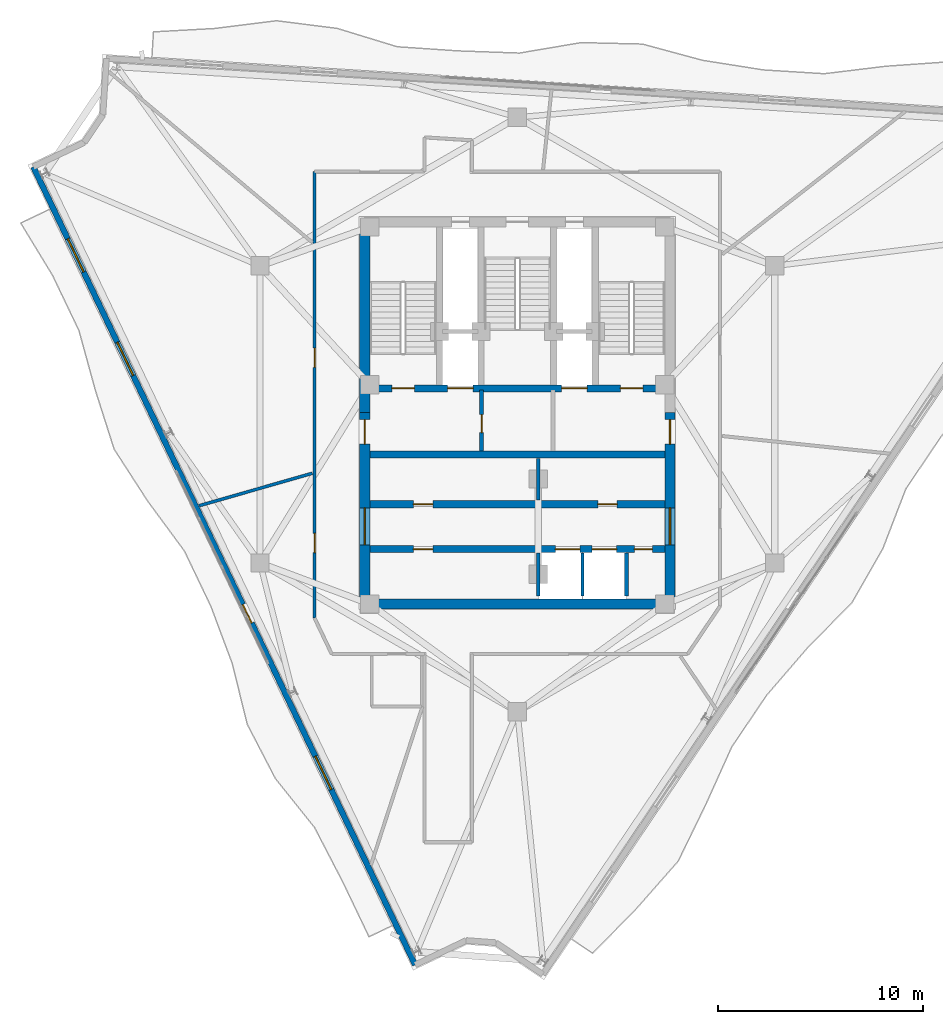
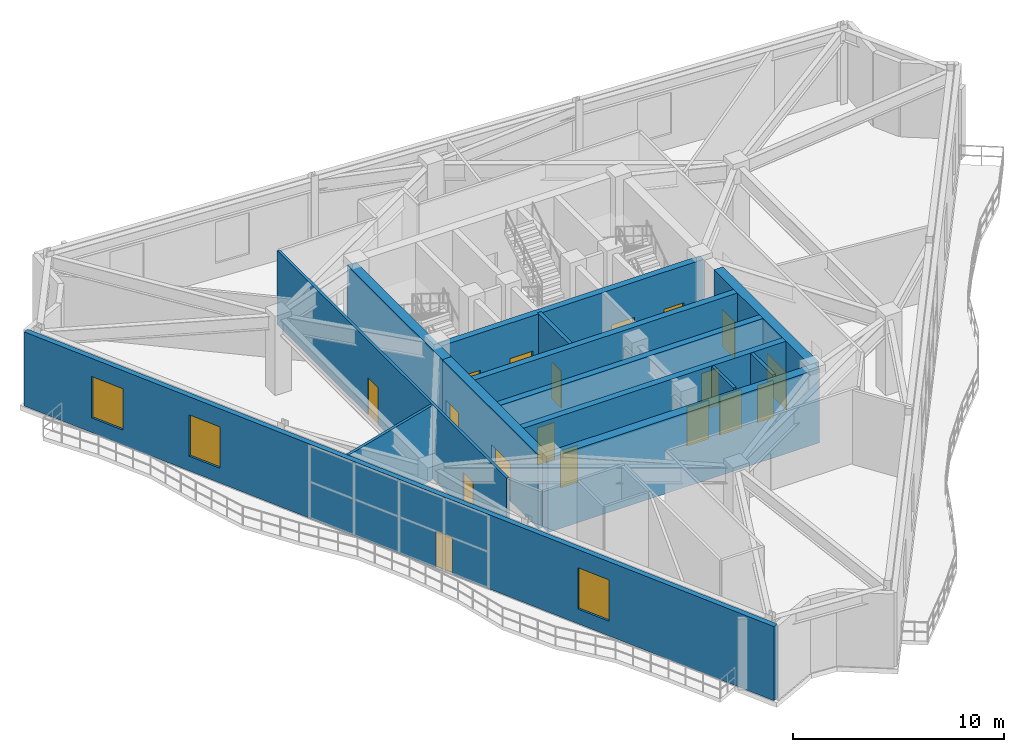
# One storey, part 10 of 15: 18 doors, 16 walls, 3 windows, 21 openings.
"""IFC4 building model written with IfcOpenShell, lengths in metres."""

from ifc_helpers import new_model, si_unit, direction, frame, frame_2d, origin, place, context, subcontext, project, spatial, rectangle, extrude, material, layer, layer_set, type_object, element, fill, save


model = new_model("IFC4")

# Units and contexts
model_context = context("Model", 3, precision=1e-05, world=origin(), true_north=direction((0.0, 1.0)))
body_context = subcontext(model_context, "Body", "Model", "MODEL_VIEW")
ifc_project = project(units=[si_unit("LENGTHUNIT", "METRE"), si_unit("AREAUNIT", "SQUARE_METRE"), si_unit("VOLUMEUNIT", "CUBIC_METRE"), si_unit("PLANEANGLEUNIT", "RADIAN"), si_unit("MASSUNIT", "GRAM", prefix="KILO")], contexts=[model_context])

# Site, building, storey
site_placement = place(None, origin())
site = spatial("IfcSite", under=ifc_project, at=site_placement, CompositionType="ELEMENT")
building_placement = place(site_placement, origin())
building = spatial("IfcBuilding", under=site, at=building_placement, Name="Apsidion Concourse Tower", CompositionType="ELEMENT")
storey_placement = place(building_placement, frame((0.0, 0.0, 323.39990234375)))
storey = spatial("IfcBuildingStorey", under=building, at=storey_placement, Name="L76", CompositionType="ELEMENT", Elevation=323.39990234375)

# Wall, openings, door, windows
ifc_material_1 = material(Name="Precast concrete C40/50", Category="concrete")
ifc_layer_1 = layer(ifc_material_1, 0.280029296875)
ifc_layer_set_1 = layer_set([ifc_layer_1], Name="Precast concrete C40/50")
wall_type_1 = type_object("IfcWallType", Name="WL-EXT-280", PredefinedType="STANDARD", material=ifc_layer_set_1)
wall_1_placement = place(storey_placement, frame((-4.98828125, -26.864501953125, 0.0), z_axis=(0.0, 0.0, 1.0), x_axis=(-0.431592936847, 0.902068476815, 0.0)))
wall_1 = element("IfcWall", 1, at=wall_1_placement, inside=storey, type_object=wall_type_1, Name="L76 Precast Stone Facade Wall 09", PredefinedType="STANDARD", context=body_context, shape_type="SweptSolid", body=[
    extrude(rectangle(XDim=43.18017578125, YDim=0.280029296875, at=frame_2d((21.590087890625, 0.0))), origin(), (0.0, 0.0, 1.0), 4.300048828125),
])
opening_1_placement = place(wall_1_placement, frame((18.499267578125, 0.0, 0.0)))
opening_1 = element("IfcOpeningElement", 2, at=opening_1_placement, cuts=wall_1, Name="Opening D-T1L", PredefinedType="OPENING", context=body_context, shape_type="SweptSolid", body=[
    extrude(rectangle(XDim=1.0, YDim=2.14990234375, at=frame_2d((0.5, 1.074951171875))), frame((0.0, 0.14990234375, 0.0), z_axis=(0.0, -1.0, 0.0), x_axis=(1.0, 0.0, 0.0)), (0.0, 0.0, 1.0), 0.300048828125),
])
opening_2_placement = place(wall_1_placement, frame((9.489990234375, 0.0, 0.85009765625)))
opening_2 = element("IfcOpeningElement", 3, at=opening_2_placement, cuts=wall_1, Name="Opening WN-09", PredefinedType="OPENING", context=body_context, shape_type="SweptSolid", body=[
    extrude(rectangle(XDim=1.800048828125, YDim=2.39990234375, at=frame_2d((0.89990234375, 1.199951171875))), frame((0.0, 0.14990234375, 0.0), z_axis=(0.0, -1.0, 0.0), x_axis=(1.0, 0.0, 0.0)), (0.0, 0.0, 1.0), 0.300048828125),
])
opening_3_placement = place(wall_1_placement, frame((31.889892578125, 0.0, 0.85009765625)))
opening_3 = element("IfcOpeningElement", 4, at=opening_3_placement, cuts=wall_1, Name="Opening WN-09", PredefinedType="OPENING", context=body_context, shape_type="SweptSolid", body=[
    extrude(rectangle(XDim=1.800048828125, YDim=2.39990234375, at=frame_2d((0.89990234375, 1.199951171875))), frame((0.0, 0.14990234375, 0.0), z_axis=(0.0, -1.0, 0.0), x_axis=(1.0, 0.0, 0.0)), (0.0, 0.0, 1.0), 0.300048828125),
])
opening_4_placement = place(wall_1_placement, frame((37.489990234375, 0.0, 0.85009765625)))
opening_4 = element("IfcOpeningElement", 5, at=opening_4_placement, cuts=wall_1, Name="Opening WN-09", PredefinedType="OPENING", context=body_context, shape_type="SweptSolid", body=[
    extrude(rectangle(XDim=1.800048828125, YDim=2.39990234375, at=frame_2d((0.89990234375, 1.199951171875))), frame((0.0, 0.14990234375, 0.0), z_axis=(0.0, -1.0, 0.0), x_axis=(1.0, 0.0, 0.0)), (0.0, 0.0, 1.0), 0.300048828125),
])
ifc_material_2 = material(Name="Anodised aluminium EN AW-6063 T6", Category="aluminium")
door_type_1 = type_object("IfcDoorType", Name="DR-TER-1022L", OperationType="SINGLE_SWING_LEFT", PredefinedType="DOOR", material=ifc_material_2)
door_1_placement = place(opening_1_placement, origin())
door_1 = element("IfcDoor", 6, at=door_1_placement, inside=storey, type_object=door_type_1, Name="L76 Balcony Access Door 1", OperationType="SINGLE_SWING_LEFT", OverallHeight=2.14990234375, OverallWidth=1.0, PredefinedType="DOOR", context=body_context, shape_type="SweptSolid", body=[
    extrude(rectangle(XDim=1.0, YDim=2.14990234375, at=frame_2d((0.5, 1.074951171875))), frame((0.0, 0.02490234375, 0.0), z_axis=(0.0, -1.0, 0.0), x_axis=(1.0, 0.0, 0.0)), (0.0, 0.0, 1.0), 0.050048828125),
])
fill(opening_1, door_1)
ifc_material_3 = material(Name="Insulated laminated low-E glass", Category="glass")
window_type = type_object("IfcWindowType", Name="WN-OBS-1826", PartitioningType="DOUBLE_PANEL_VERTICAL", PredefinedType="WINDOW", material=ifc_material_3)
window_1_placement = place(opening_2_placement, origin())
window_1 = element("IfcWindow", 7, at=window_1_placement, inside=storey, type_object=window_type, Name="L76 Punched Facade Window 9-02", OverallHeight=2.39990234375, OverallWidth=1.800048828125, PartitioningType="DOUBLE_PANEL_VERTICAL", PredefinedType="WINDOW", context=body_context, shape_type="SweptSolid", body=[
    extrude(rectangle(XDim=1.800048828125, YDim=2.39990234375, at=frame_2d((0.89990234375, 1.199951171875))), frame((0.0, 0.030029296875, 0.0), z_axis=(0.0, -1.0, 0.0), x_axis=(1.0, 0.0, 0.0)), (0.0, 0.0, 1.0), 0.06005859375),
])
fill(opening_2, window_1)
window_2_placement = place(opening_3_placement, origin())
window_2 = element("IfcWindow", 8, at=window_2_placement, inside=storey, type_object=window_type, Name="L76 Punched Facade Window 9-06", OverallHeight=2.39990234375, OverallWidth=1.800048828125, PartitioningType="DOUBLE_PANEL_VERTICAL", PredefinedType="WINDOW", context=body_context, shape_type="SweptSolid", body=[
    extrude(rectangle(XDim=1.800048828125, YDim=2.39990234375, at=frame_2d((0.89990234375, 1.199951171875))), frame((0.0, 0.030029296875, 0.0), z_axis=(0.0, -1.0, 0.0), x_axis=(1.0, 0.0, 0.0)), (0.0, 0.0, 1.0), 0.06005859375),
])
fill(opening_3, window_2)
window_3_placement = place(opening_4_placement, origin())
window_3 = element("IfcWindow", 9, at=window_3_placement, inside=storey, type_object=window_type, Name="L76 Punched Facade Window 9-07", OverallHeight=2.39990234375, OverallWidth=1.800048828125, PartitioningType="DOUBLE_PANEL_VERTICAL", PredefinedType="WINDOW", context=body_context, shape_type="SweptSolid", body=[
    extrude(rectangle(XDim=1.800048828125, YDim=2.39990234375, at=frame_2d((0.89990234375, 1.199951171875))), frame((0.0, 0.030029296875, 0.0), z_axis=(0.0, -1.0, 0.0), x_axis=(1.0, 0.0, 0.0)), (0.0, 0.0, 1.0), 0.06005859375),
])
fill(opening_4, window_3)

# Wall
ifc_material_4 = material(Name="Gypsum plasterboard partition")
ifc_layer_2 = layer(ifc_material_4, 0.14990234375)
ifc_layer_set_2 = layer_set([ifc_layer_2], Name="Gypsum plasterboard partition")
wall_type_2 = type_object("IfcWallType", Name="WL-INT-PAR-150", PredefinedType="PARTITIONING", material=ifc_layer_set_2)
wall_2_placement = place(storey_placement, frame((3.175048828125, -8.85009765625, 0.0), z_axis=(0.0, 0.0, 1.0), x_axis=(0.0, 1.0, 0.0)))
element("IfcWall", 10, at=wall_2_placement, inside=storey, type_object=wall_type_2, Name="L76 Interior Partition WL-L76-SHDIV-1", PredefinedType="PARTITIONING", context=body_context, shape_type="SweptSolid", body=[
    extrude(rectangle(XDim=2.080078125, YDim=0.14990234375, at=frame_2d((1.0400390625, 0.0))), origin(), (0.0, 0.0, 1.0), 4.300048828125),
])

# Wall, openings, doors
wall_3_placement = place(storey_placement, frame((-9.89990234375, -9.93701171875, 0.0), z_axis=(0.0, 0.0, 1.0), x_axis=(0.0, 1.0, 0.0)))
wall_3 = element("IfcWall", 11, at=wall_3_placement, inside=storey, type_object=wall_type_2, Name="L76 Interior Partition WL-L76-CORR-03", PredefinedType="PARTITIONING", context=body_context, shape_type="SweptSolid", body=[
    extrude(rectangle(XDim=21.787109375, YDim=0.14990234375, at=frame_2d((10.8935546875, 0.0))), origin(), (0.0, 0.0, 1.0), 4.300048828125),
])
opening_5_placement = place(wall_3_placement, frame((3.189697265625, 0.0, 0.0)))
opening_5 = element("IfcOpeningElement", 12, at=opening_5_placement, cuts=wall_3, Name="Opening D-01L", PredefinedType="OPENING", context=body_context, shape_type="SweptSolid", body=[
    extrude(rectangle(XDim=0.949951171875, YDim=2.14990234375, at=frame_2d((0.47509765625, 1.074951171875))), frame((0.0, 0.0849609375, 0.0), z_axis=(0.0, -1.0, 0.0), x_axis=(1.0, 0.0, 0.0)), (0.0, 0.0, 1.0), 0.169921875),
])
opening_6_placement = place(wall_3_placement, frame((12.231201171875, 0.0, 0.0)))
opening_6 = element("IfcOpeningElement", 13, at=opening_6_placement, cuts=wall_3, Name="Opening D-01L", PredefinedType="OPENING", context=body_context, shape_type="SweptSolid", body=[
    extrude(rectangle(XDim=0.949951171875, YDim=2.14990234375, at=frame_2d((0.47509765625, 1.074951171875))), frame((0.0, 0.0849609375, 0.0), z_axis=(0.0, -1.0, 0.0), x_axis=(1.0, 0.0, 0.0)), (0.0, 0.0, 1.0), 0.169921875),
])
ifc_material_5 = material(Name="Brushed stainless steel 316", Category="steel")
door_type_2 = type_object("IfcDoorType", Name="DR-INT-D01L", OperationType="SINGLE_SWING_LEFT", PredefinedType="DOOR", material=ifc_material_5)
door_2_placement = place(opening_5_placement, origin())
door_2 = element("IfcDoor", 14, at=door_2_placement, inside=storey, type_object=door_type_2, Name="L76 Corridor Entry Door 01", OperationType="SINGLE_SWING_LEFT", OverallHeight=2.14990234375, OverallWidth=0.949951171875, PredefinedType="DOOR", context=body_context, shape_type="SweptSolid", body=[
    extrude(rectangle(XDim=0.949951171875, YDim=2.14990234375, at=frame_2d((0.47509765625, 1.074951171875))), frame((0.0, 0.02490234375, 0.0), z_axis=(0.0, -1.0, 0.0), x_axis=(1.0, 0.0, 0.0)), (0.0, 0.0, 1.0), 0.050048828125),
])
fill(opening_5, door_2)
door_3_placement = place(opening_6_placement, origin())
door_3 = element("IfcDoor", 15, at=door_3_placement, inside=storey, type_object=door_type_2, Name="L76 Corridor Entry Door 07", OperationType="SINGLE_SWING_LEFT", OverallHeight=2.14990234375, OverallWidth=0.949951171875, PredefinedType="DOOR", context=body_context, shape_type="SweptSolid", body=[
    extrude(rectangle(XDim=0.949951171875, YDim=2.14990234375, at=frame_2d((0.47509765625, 1.074951171875))), frame((0.0, 0.02490234375, 0.0), z_axis=(0.0, -1.0, 0.0), x_axis=(1.0, 0.0, 0.0)), (0.0, 0.0, 1.0), 0.050048828125),
])
fill(opening_6, door_3)

# Walls
wall_4_placement = place(storey_placement, frame((-10.0048828125, -2.868896484375, 0.0), z_axis=(0.0, 0.0, 1.0), x_axis=(-0.961270656864, -0.275606103437, 0.0)))
element("IfcWall", 16, at=wall_4_placement, inside=storey, type_object=wall_type_2, Name="L76 Interior Partition WL-L76-RAD-03-1", PredefinedType="PARTITIONING", context=body_context, shape_type="SweptSolid", body=[
    extrude(rectangle(XDim=5.756103515625, YDim=0.14990234375, at=frame_2d((2.8779296875, 0.0))), origin(), (0.0, 0.0, 1.0), 4.300048828125),
])
ifc_layer_3 = layer(ifc_material_4, 0.179931640625)
ifc_layer_set_3 = layer_set([ifc_layer_3], Name="Gypsum plasterboard partition")
wall_type_3 = type_object("IfcWallType", Name="WL-INT-PAR-180", PredefinedType="PARTITIONING", material=ifc_layer_set_3)
wall_5_placement = place(storey_placement, frame((1.02490234375, -4.179931640625, 0.0), z_axis=(0.0, 0.0, 1.0), x_axis=(0.0, 1.0, 0.0)))
element("IfcWall", 17, at=wall_5_placement, inside=storey, type_object=wall_type_3, Name="L76 Interior Partition WL-L76-B1END", PredefinedType="PARTITIONING", context=body_context, shape_type="SweptSolid", body=[
    extrude(rectangle(XDim=2.030029296875, YDim=0.179931640625, at=frame_2d((1.01513671875, 0.0))), origin(), (0.0, 0.0, 1.0), 3.34814453125),
])
wall_6_placement = place(storey_placement, frame((1.02490234375, -8.85009765625, 0.0), z_axis=(0.0, 0.0, 1.0), x_axis=(0.0, 1.0, 0.0)))
element("IfcWall", 18, at=wall_6_placement, inside=storey, type_object=wall_type_3, Name="L76 Interior Partition WL-L76-B2END", PredefinedType="PARTITIONING", context=body_context, shape_type="SweptSolid", body=[
    extrude(rectangle(XDim=2.080078125, YDim=0.179931640625, at=frame_2d((1.0400390625, 0.0))), origin(), (0.0, 0.0, 1.0), 3.34814453125),
])
wall_7_placement = place(storey_placement, frame((5.324951171875, -8.85009765625, 0.0), z_axis=(0.0, 0.0, 1.0), x_axis=(0.0, 1.0, 0.0)))
element("IfcWall", 19, at=wall_7_placement, inside=storey, type_object=wall_type_3, Name="L76 Interior Partition WL-L76-SHDIV-2", PredefinedType="PARTITIONING", context=body_context, shape_type="SweptSolid", body=[
    extrude(rectangle(XDim=2.080078125, YDim=0.179931640625, at=frame_2d((1.0400390625, 0.0))), origin(), (0.0, 0.0, 1.0), 4.300048828125),
])

# Wall, opening, door
ifc_layer_4 = layer(ifc_material_4, 0.199951171875)
ifc_layer_set_4 = layer_set([ifc_layer_4], Name="Gypsum plasterboard partition")
wall_type_4 = type_object("IfcWallType", Name="WL-INT-PAR-200", PredefinedType="PARTITIONING", material=ifc_layer_set_4)
wall_8_placement = place(storey_placement, frame((-1.739990234375, -1.780029296875, 0.0), z_axis=(0.0, 0.0, 1.0), x_axis=(0.0, 1.0, 0.0)))
wall_8 = element("IfcWall", 20, at=wall_8_placement, inside=storey, type_object=wall_type_4, Name="L76 Interior Partition WL-L76-FF1-E", PredefinedType="PARTITIONING", context=body_context, shape_type="SweptSolid", body=[
    extrude(rectangle(XDim=2.97998046875, YDim=0.199951171875, at=frame_2d((1.489990234375, 0.0))), origin(), (0.0, 0.0, 1.0), 4.300048828125),
])
opening_7_placement = place(wall_8_placement, frame((0.889892578125, 0.0, 0.0)))
opening_7 = element("IfcOpeningElement", 21, at=opening_7_placement, cuts=wall_8, Name="Opening D-05R", PredefinedType="OPENING", context=body_context, shape_type="SweptSolid", body=[
    extrude(rectangle(XDim=0.8798828125, YDim=2.14990234375, at=frame_2d((0.43994140625, 1.074951171875))), frame((0.0, 0.10986328125, 0.0), z_axis=(0.0, -1.0, 0.0), x_axis=(1.0, 0.0, 0.0)), (0.0, 0.0, 1.0), 0.219970703125),
])
door_type_3 = type_object("IfcDoorType", Name="DR-INT-D05R", OperationType="SINGLE_SWING_RIGHT", PredefinedType="DOOR", material=ifc_material_5)
door_4_placement = place(opening_7_placement, origin())
door_4 = element("IfcDoor", 22, at=door_4_placement, inside=storey, type_object=door_type_3, Name="L76 Core BMS Door", OperationType="SINGLE_SWING_RIGHT", OverallHeight=2.14990234375, OverallWidth=0.8798828125, PredefinedType="DOOR", context=body_context, shape_type="SweptSolid", body=[
    extrude(rectangle(XDim=0.8798828125, YDim=2.14990234375, at=frame_2d((0.43994140625, 1.074951171875))), frame((0.0, 0.02490234375, 0.0), z_axis=(0.0, -1.0, 0.0), x_axis=(1.0, 0.0, 0.0)), (0.0, 0.0, 1.0), 0.050048828125),
])
fill(opening_7, door_4)

# Wall, openings, doors
ifc_material_6 = material(Name="Concrete C50/60", Category="concrete")
ifc_layer_5 = layer(ifc_material_6, 0.35009765625)
ifc_layer_set_5 = layer_set([ifc_layer_5], Name="Concrete C50/60")
wall_type_5 = type_object("IfcWallType", Name="WL-SH-350", PredefinedType="SHEAR", material=ifc_layer_set_5)
wall_9_placement = place(storey_placement, frame((-7.199951171875, 1.27490234375, 0.0), z_axis=(0.0, 0.0, 1.0), x_axis=(1.0, 0.0, 0.0)))
wall_9 = element("IfcWall", 23, at=wall_9_placement, inside=storey, type_object=wall_type_5, Name="L76 Central Core Shear Wall M1", PredefinedType="SHEAR", context=body_context, shape_type="SweptSolid", body=[
    extrude(rectangle(XDim=14.39990234375, YDim=0.35009765625, at=frame_2d((7.199951171875, 0.0))), origin(), (0.0, 0.0, 1.0), 4.300048828125),
])
opening_8_placement = place(wall_9_placement, frame((3.794921875, 0.0, 0.0)))
opening_8 = element("IfcOpeningElement", 24, at=opening_8_placement, cuts=wall_9, Name="Opening LD-FF", PredefinedType="OPENING", context=body_context, shape_type="SweptSolid", body=[
    extrude(rectangle(XDim=1.25, YDim=2.25, at=frame_2d((0.625, 1.125))), frame((0.0, 0.18505859375, 0.0), z_axis=(0.0, -1.0, 0.0), x_axis=(1.0, 0.0, 0.0)), (0.0, 0.0, 1.0), 0.3701171875),
])
opening_9_placement = place(wall_9_placement, frame((9.35498046875, 0.0, 0.0)))
opening_9 = element("IfcOpeningElement", 25, at=opening_9_placement, cuts=wall_9, Name="Opening LD-FF", PredefinedType="OPENING", context=body_context, shape_type="SweptSolid", body=[
    extrude(rectangle(XDim=1.25, YDim=2.25, at=frame_2d((0.625, 1.125))), frame((0.0, 0.18505859375, 0.0), z_axis=(0.0, -1.0, 0.0), x_axis=(1.0, 0.0, 0.0)), (0.0, 0.0, 1.0), 0.3701171875),
])
opening_10_placement = place(wall_9_placement, frame((1.074951171875, 0.0, 0.0)))
opening_10 = element("IfcOpeningElement", 26, at=opening_10_placement, cuts=wall_9, Name="Opening D-STL", PredefinedType="OPENING", context=body_context, shape_type="SweptSolid", body=[
    extrude(rectangle(XDim=1.10009765625, YDim=2.14990234375, at=frame_2d((0.550048828125, 1.074951171875))), frame((0.0, 0.18505859375, 0.0), z_axis=(0.0, -1.0, 0.0), x_axis=(1.0, 0.0, 0.0)), (0.0, 0.0, 1.0), 0.3701171875),
])
opening_11_placement = place(wall_9_placement, frame((12.22509765625, 0.0, 0.0)))
opening_11 = element("IfcOpeningElement", 27, at=opening_11_placement, cuts=wall_9, Name="Opening D-STR", PredefinedType="OPENING", context=body_context, shape_type="SweptSolid", body=[
    extrude(rectangle(XDim=1.10009765625, YDim=2.14990234375, at=frame_2d((0.550048828125, 1.074951171875))), frame((0.0, 0.18505859375, 0.0), z_axis=(0.0, -1.0, 0.0), x_axis=(1.0, 0.0, 0.0)), (0.0, 0.0, 1.0), 0.3701171875),
])
door_type_4 = type_object("IfcDoorType", Name="DR-INT-ST1L", OperationType="SINGLE_SWING_LEFT", PredefinedType="DOOR", material=ifc_material_5)
door_5_placement = place(opening_10_placement, origin())
door_5 = element("IfcDoor", 28, at=door_5_placement, inside=storey, type_object=door_type_4, Name="L76 Core Exit Stair ST1 Door", OperationType="SINGLE_SWING_LEFT", OverallHeight=2.14990234375, OverallWidth=1.10009765625, PredefinedType="DOOR", context=body_context, shape_type="SweptSolid", body=[
    extrude(rectangle(XDim=1.10009765625, YDim=2.14990234375, at=frame_2d((0.550048828125, 1.074951171875))), frame((0.0, 0.02490234375, 0.0), z_axis=(0.0, -1.0, 0.0), x_axis=(1.0, 0.0, 0.0)), (0.0, 0.0, 1.0), 0.050048828125),
])
fill(opening_10, door_5)
door_type_5 = type_object("IfcDoorType", Name="DR-INT-ST1R", OperationType="SINGLE_SWING_RIGHT", PredefinedType="DOOR", material=ifc_material_5)
door_6_placement = place(opening_11_placement, origin())
door_6 = element("IfcDoor", 29, at=door_6_placement, inside=storey, type_object=door_type_5, Name="L76 Core Exit Stair ST2 Door", OperationType="SINGLE_SWING_RIGHT", OverallHeight=2.14990234375, OverallWidth=1.10009765625, PredefinedType="DOOR", context=body_context, shape_type="SweptSolid", body=[
    extrude(rectangle(XDim=1.10009765625, YDim=2.14990234375, at=frame_2d((0.550048828125, 1.074951171875))), frame((0.0, 0.02490234375, 0.0), z_axis=(0.0, -1.0, 0.0), x_axis=(1.0, 0.0, 0.0)), (0.0, 0.0, 1.0), 0.050048828125),
])
fill(opening_11, door_6)
door_type_6 = type_object("IfcDoorType", Name="DR-LD-FSAE", OperationType="DOUBLE_DOOR_SLIDING", PredefinedType="DOOR", material=ifc_material_5)
door_7_placement = place(opening_8_placement, origin())
door_7 = element("IfcDoor", 30, at=door_7_placement, inside=storey, type_object=door_type_6, Name="L76 Lift Landing Door FF1", OperationType="DOUBLE_DOOR_SLIDING", OverallHeight=2.25, OverallWidth=1.25, PredefinedType="DOOR", context=body_context, shape_type="SweptSolid", body=[
    extrude(rectangle(XDim=1.25, YDim=2.25, at=frame_2d((0.625, 1.125))), frame((0.0, 0.02490234375, 0.0), z_axis=(0.0, -1.0, 0.0), x_axis=(1.0, 0.0, 0.0)), (0.0, 0.0, 1.0), 0.050048828125),
])
fill(opening_8, door_7)
door_8_placement = place(opening_9_placement, origin())
door_8 = element("IfcDoor", 31, at=door_8_placement, inside=storey, type_object=door_type_6, Name="L76 Lift Landing Door FF2", OperationType="DOUBLE_DOOR_SLIDING", OverallHeight=2.25, OverallWidth=1.25, PredefinedType="DOOR", context=body_context, shape_type="SweptSolid", body=[
    extrude(rectangle(XDim=1.25, YDim=2.25, at=frame_2d((0.625, 1.125))), frame((0.0, 0.02490234375, 0.0), z_axis=(0.0, -1.0, 0.0), x_axis=(1.0, 0.0, 0.0)), (0.0, 0.0, 1.0), 0.050048828125),
])
fill(opening_9, door_8)

# Wall
wall_10_placement = place(storey_placement, frame((-7.199951171875, -1.949951171875, 0.0), z_axis=(0.0, 0.0, 1.0), x_axis=(1.0, 0.0, 0.0)))
element("IfcWall", 32, at=wall_10_placement, inside=storey, type_object=wall_type_5, Name="L76 Central Core Shear Wall M2", PredefinedType="SHEAR", context=body_context, shape_type="SweptSolid", body=[
    extrude(rectangle(XDim=14.39990234375, YDim=0.35009765625, at=frame_2d((7.199951171875, 0.0))), origin(), (0.0, 0.0, 1.0), 4.300048828125),
])

# Wall, openings, doors
wall_11_placement = place(storey_placement, frame((-7.199951171875, -4.3798828125, 0.0), z_axis=(0.0, 0.0, 1.0), x_axis=(1.0, 0.0, 0.0)))
wall_11 = element("IfcWall", 33, at=wall_11_placement, inside=storey, type_object=wall_type_5, Name="L76 Central Core Shear Wall LA", PredefinedType="SHEAR", context=body_context, shape_type="SweptSolid", body=[
    extrude(rectangle(XDim=14.39990234375, YDim=0.35009765625, at=frame_2d((7.199951171875, 0.0))), origin(), (0.0, 0.0, 1.0), 4.300048828125),
])
opening_12_placement = place(wall_11_placement, frame((2.125, 0.0, 0.0)))
opening_12 = element("IfcOpeningElement", 34, at=opening_12_placement, cuts=wall_11, Name="Opening D-04L", PredefinedType="OPENING", context=body_context, shape_type="SweptSolid", body=[
    extrude(rectangle(XDim=0.949951171875, YDim=2.14990234375, at=frame_2d((0.47509765625, 1.074951171875))), frame((0.0, 0.18505859375, 0.0), z_axis=(0.0, -1.0, 0.0), x_axis=(1.0, 0.0, 0.0)), (0.0, 0.0, 1.0), 0.3701171875),
])
opening_13_placement = place(wall_11_placement, frame((11.125, 0.0, 0.0)))
opening_13 = element("IfcOpeningElement", 35, at=opening_13_placement, cuts=wall_11, Name="Opening D-04R", PredefinedType="OPENING", context=body_context, shape_type="SweptSolid", body=[
    extrude(rectangle(XDim=0.949951171875, YDim=2.14990234375, at=frame_2d((0.47509765625, 1.074951171875))), frame((0.0, 0.18505859375, 0.0), z_axis=(0.0, -1.0, 0.0), x_axis=(1.0, 0.0, 0.0)), (0.0, 0.0, 1.0), 0.3701171875),
])
door_type_7 = type_object("IfcDoorType", Name="DR-INT-D04L", OperationType="SINGLE_SWING_LEFT", PredefinedType="DOOR", material=ifc_material_5)
door_9_placement = place(opening_12_placement, origin())
door_9 = element("IfcDoor", 36, at=door_9_placement, inside=storey, type_object=door_type_7, Name="L76 Tenant Archive and Print Room Door", OperationType="SINGLE_SWING_LEFT", OverallHeight=2.14990234375, OverallWidth=0.949951171875, PredefinedType="DOOR", context=body_context, shape_type="SweptSolid", body=[
    extrude(rectangle(XDim=0.949951171875, YDim=2.14990234375, at=frame_2d((0.47509765625, 1.074951171875))), frame((0.0, 0.02490234375, 0.0), z_axis=(0.0, -1.0, 0.0), x_axis=(1.0, 0.0, 0.0)), (0.0, 0.0, 1.0), 0.050048828125),
])
fill(opening_12, door_9)
door_type_8 = type_object("IfcDoorType", Name="DR-INT-D04R", OperationType="SINGLE_SWING_RIGHT", PredefinedType="DOOR", material=ifc_material_5)
door_10_placement = place(opening_13_placement, origin())
door_10 = element("IfcDoor", 37, at=door_10_placement, inside=storey, type_object=door_type_8, Name="L76 Telemetry Room Door", OperationType="SINGLE_SWING_RIGHT", OverallHeight=2.14990234375, OverallWidth=0.949951171875, PredefinedType="DOOR", context=body_context, shape_type="SweptSolid", body=[
    extrude(rectangle(XDim=0.949951171875, YDim=2.14990234375, at=frame_2d((0.47509765625, 1.074951171875))), frame((0.0, 0.02490234375, 0.0), z_axis=(0.0, -1.0, 0.0), x_axis=(1.0, 0.0, 0.0)), (0.0, 0.0, 1.0), 0.050048828125),
])
fill(opening_13, door_10)

wall_12_placement = place(storey_placement, frame((-7.199951171875, -6.570068359375, 0.0), z_axis=(0.0, 0.0, 1.0), x_axis=(1.0, 0.0, 0.0)))
wall_12 = element("IfcWall", 38, at=wall_12_placement, inside=storey, type_object=wall_type_5, Name="L76 Central Core Shear Wall LB", PredefinedType="SHEAR", context=body_context, shape_type="SweptSolid", body=[
    extrude(rectangle(XDim=14.39990234375, YDim=0.35009765625, at=frame_2d((7.199951171875, 0.0))), origin(), (0.0, 0.0, 1.0), 4.300048828125),
])
opening_14_placement = place(wall_12_placement, frame((9.050048828125, 0.0, 0.0)))
opening_14 = element("IfcOpeningElement", 39, at=opening_14_placement, cuts=wall_12, Name="Opening LD-S1", PredefinedType="OPENING", context=body_context, shape_type="SweptSolid", body=[
    extrude(rectangle(XDim=1.199951171875, YDim=2.25, at=frame_2d((0.60009765625, 1.125))), frame((0.0, 0.18505859375, 0.0), z_axis=(0.0, -1.0, 0.0), x_axis=(1.0, 0.0, 0.0)), (0.0, 0.0, 1.0), 0.3701171875),
])
opening_15_placement = place(wall_12_placement, frame((10.85009765625, 0.0, 0.0)))
opening_15 = element("IfcOpeningElement", 40, at=opening_15_placement, cuts=wall_12, Name="Opening LD-S1", PredefinedType="OPENING", context=body_context, shape_type="SweptSolid", body=[
    extrude(rectangle(XDim=1.199951171875, YDim=2.25, at=frame_2d((0.60009765625, 1.125))), frame((0.0, 0.18505859375, 0.0), z_axis=(0.0, -1.0, 0.0), x_axis=(1.0, 0.0, 0.0)), (0.0, 0.0, 1.0), 0.3701171875),
])
opening_16_placement = place(wall_12_placement, frame((2.125, 0.0, 0.0)))
opening_16 = element("IfcOpeningElement", 41, at=opening_16_placement, cuts=wall_12, Name="Opening D-04R", PredefinedType="OPENING", context=body_context, shape_type="SweptSolid", body=[
    extrude(rectangle(XDim=0.949951171875, YDim=2.14990234375, at=frame_2d((0.47509765625, 1.074951171875))), frame((0.0, 0.18505859375, 0.0), z_axis=(0.0, -1.0, 0.0), x_axis=(1.0, 0.0, 0.0)), (0.0, 0.0, 1.0), 0.3701171875),
])
opening_17_placement = place(wall_12_placement, frame((12.909912109375, 0.0, 0.0)))
opening_17 = element("IfcOpeningElement", 42, at=opening_17_placement, cuts=wall_12, Name="Opening D-05L", PredefinedType="OPENING", context=body_context, shape_type="SweptSolid", body=[
    extrude(rectangle(XDim=0.8798828125, YDim=2.14990234375, at=frame_2d((0.43994140625, 1.074951171875))), frame((0.0, 0.18505859375, 0.0), z_axis=(0.0, -1.0, 0.0), x_axis=(1.0, 0.0, 0.0)), (0.0, 0.0, 1.0), 0.3701171875),
])
door_11_placement = place(opening_16_placement, origin())
door_11 = element("IfcDoor", 43, at=door_11_placement, inside=storey, type_object=door_type_8, Name="L76 Executive Catering Pantry Door", OperationType="SINGLE_SWING_RIGHT", OverallHeight=2.14990234375, OverallWidth=0.949951171875, PredefinedType="DOOR", context=body_context, shape_type="SweptSolid", body=[
    extrude(rectangle(XDim=0.949951171875, YDim=2.14990234375, at=frame_2d((0.47509765625, 1.074951171875))), frame((0.0, 0.02490234375, 0.0), z_axis=(0.0, -1.0, 0.0), x_axis=(1.0, 0.0, 0.0)), (0.0, 0.0, 1.0), 0.050048828125),
])
fill(opening_16, door_11)
door_type_9 = type_object("IfcDoorType", Name="DR-INT-D05L", OperationType="SINGLE_SWING_LEFT", PredefinedType="DOOR", material=ifc_material_5)
door_12_placement = place(opening_17_placement, origin())
door_12 = element("IfcDoor", 44, at=door_12_placement, inside=storey, type_object=door_type_9, Name="L76 Cleaners Store Door", OperationType="SINGLE_SWING_LEFT", OverallHeight=2.14990234375, OverallWidth=0.8798828125, PredefinedType="DOOR", context=body_context, shape_type="SweptSolid", body=[
    extrude(rectangle(XDim=0.8798828125, YDim=2.14990234375, at=frame_2d((0.43994140625, 1.074951171875))), frame((0.0, 0.02490234375, 0.0), z_axis=(0.0, -1.0, 0.0), x_axis=(1.0, 0.0, 0.0)), (0.0, 0.0, 1.0), 0.050048828125),
])
fill(opening_17, door_12)
door_type_10 = type_object("IfcDoorType", Name="DR-LD-SHUT", OperationType="DOUBLE_DOOR_SLIDING", PredefinedType="DOOR", material=ifc_material_5)
door_13_placement = place(opening_14_placement, origin())
door_13 = element("IfcDoor", 45, at=door_13_placement, inside=storey, type_object=door_type_10, Name="L76 Lift Landing Door P12", OperationType="DOUBLE_DOOR_SLIDING", OverallHeight=2.25, OverallWidth=1.199951171875, PredefinedType="DOOR", context=body_context, shape_type="SweptSolid", body=[
    extrude(rectangle(XDim=1.199951171875, YDim=2.25, at=frame_2d((0.60009765625, 1.125))), frame((0.0, 0.02490234375, 0.0), z_axis=(0.0, -1.0, 0.0), x_axis=(1.0, 0.0, 0.0)), (0.0, 0.0, 1.0), 0.050048828125),
])
fill(opening_14, door_13)
door_14_placement = place(opening_15_placement, origin())
door_14 = element("IfcDoor", 46, at=door_14_placement, inside=storey, type_object=door_type_10, Name="L76 Lift Landing Door P13", OperationType="DOUBLE_DOOR_SLIDING", OverallHeight=2.25, OverallWidth=1.199951171875, PredefinedType="DOOR", context=body_context, shape_type="SweptSolid", body=[
    extrude(rectangle(XDim=1.199951171875, YDim=2.25, at=frame_2d((0.60009765625, 1.125))), frame((0.0, 0.02490234375, 0.0), z_axis=(0.0, -1.0, 0.0), x_axis=(1.0, 0.0, 0.0)), (0.0, 0.0, 1.0), 0.050048828125),
])
fill(opening_15, door_14)

# Wall
ifc_layer_6 = layer(ifc_material_6, 0.5)
ifc_layer_set_6 = layer_set([ifc_layer_6], Name="Concrete C50/60")
wall_type_6 = type_object("IfcWallType", Name="WL-SH-500", PredefinedType="SHEAR", material=ifc_layer_set_6)
wall_13_placement = place(storey_placement, frame((-7.449951171875, 0.10009765625, 0.0), z_axis=(0.0, 0.0, 1.0), x_axis=(0.0, 1.0, 0.0)))
element("IfcWall", 47, at=wall_13_placement, inside=storey, type_object=wall_type_6, Name="L76 Central Core Shear Wall WN", PredefinedType="SHEAR", context=body_context, shape_type="SweptSolid", body=[
    extrude(rectangle(XDim=9.0498046875, YDim=0.5, at=frame_2d((4.52490234375, 0.0))), origin(), (0.0, 0.0, 1.0), 4.300048828125),
])

# Wall, openings, doors
wall_14_placement = place(storey_placement, frame((-7.449951171875, -9.0, 0.0), z_axis=(0.0, 0.0, 1.0), x_axis=(0.0, 1.0, 0.0)))
wall_14 = element("IfcWall", 48, at=wall_14_placement, inside=storey, type_object=wall_type_6, Name="L76 Central Core Shear Wall WS", PredefinedType="SHEAR", context=body_context, shape_type="SweptSolid", body=[
    extrude(rectangle(XDim=9.10009765625, YDim=0.5, at=frame_2d((4.550048828125, 0.0))), origin(), (0.0, 0.0, 1.0), 4.300048828125),
])
opening_18_placement = place(wall_14_placement, frame((2.639892578125, 0.0, 0.0)))
opening_18 = element("IfcOpeningElement", 49, at=opening_18_placement, cuts=wall_14, Name="Opening D-06D", PredefinedType="OPENING", context=body_context, shape_type="SweptSolid", body=[
    extrude(rectangle(XDim=1.800048828125, YDim=2.199951171875, at=frame_2d((0.89990234375, 1.10009765625))), frame((0.0, 0.260009765625, 0.0), z_axis=(0.0, -1.0, 0.0), x_axis=(1.0, 0.0, 0.0)), (0.0, 0.0, 1.0), 0.52001953125),
])
opening_19_placement = place(wall_14_placement, frame((7.550048828125, 0.0, 0.0)))
opening_19 = element("IfcOpeningElement", 50, at=opening_19_placement, cuts=wall_14, Name="Opening D-FFL", PredefinedType="OPENING", context=body_context, shape_type="SweptSolid", body=[
    extrude(rectangle(XDim=1.199951171875, YDim=2.14990234375, at=frame_2d((0.60009765625, 1.074951171875))), frame((0.0, 0.260009765625, 0.0), z_axis=(0.0, -1.0, 0.0), x_axis=(1.0, 0.0, 0.0)), (0.0, 0.0, 1.0), 0.52001953125),
])
door_type_11 = type_object("IfcDoorType", Name="DR-INT-D06D", OperationType="DOUBLE_DOOR_SINGLE_SWING", PredefinedType="DOOR", material=ifc_material_5)
door_15_placement = place(opening_18_placement, origin())
door_15 = element("IfcDoor", 51, at=door_15_placement, inside=storey, type_object=door_type_11, Name="L76 Passenger Lift Lobby WS Portal Door", OperationType="DOUBLE_DOOR_SINGLE_SWING", OverallHeight=2.199951171875, OverallWidth=1.800048828125, PredefinedType="DOOR", context=body_context, shape_type="SweptSolid", body=[
    extrude(rectangle(XDim=1.800048828125, YDim=2.199951171875, at=frame_2d((0.89990234375, 1.10009765625))), frame((0.0, 0.02490234375, 0.0), z_axis=(0.0, -1.0, 0.0), x_axis=(1.0, 0.0, 0.0)), (0.0, 0.0, 1.0), 0.050048828125),
])
fill(opening_18, door_15)
door_type_12 = type_object("IfcDoorType", Name="DR-INT-FFL", OperationType="SINGLE_SWING_LEFT", PredefinedType="DOOR", material=ifc_material_5)
door_16_placement = place(opening_19_placement, origin())
door_16 = element("IfcDoor", 52, at=door_16_placement, inside=storey, type_object=door_type_12, Name="L76 Firefighting Lift Lobby FF1 Door", OperationType="SINGLE_SWING_LEFT", OverallHeight=2.14990234375, OverallWidth=1.199951171875, PredefinedType="DOOR", context=body_context, shape_type="SweptSolid", body=[
    extrude(rectangle(XDim=1.199951171875, YDim=2.14990234375, at=frame_2d((0.60009765625, 1.074951171875))), frame((0.0, 0.02490234375, 0.0), z_axis=(0.0, -1.0, 0.0), x_axis=(1.0, 0.0, 0.0)), (0.0, 0.0, 1.0), 0.050048828125),
])
fill(opening_19, door_16)

wall_15_placement = place(storey_placement, frame((7.449951171875, -9.0, 0.0), z_axis=(0.0, 0.0, 1.0), x_axis=(0.0, 1.0, 0.0)))
wall_15 = element("IfcWall", 53, at=wall_15_placement, inside=storey, type_object=wall_type_6, Name="L76 Central Core Shear Wall ES", PredefinedType="SHEAR", context=body_context, shape_type="SweptSolid", body=[
    extrude(rectangle(XDim=9.10009765625, YDim=0.5, at=frame_2d((4.550048828125, 0.0))), origin(), (0.0, 0.0, 1.0), 4.300048828125),
])
opening_20_placement = place(wall_15_placement, frame((2.639892578125, 0.0, 0.0)))
opening_20 = element("IfcOpeningElement", 54, at=opening_20_placement, cuts=wall_15, Name="Opening D-06D", PredefinedType="OPENING", context=body_context, shape_type="SweptSolid", body=[
    extrude(rectangle(XDim=1.800048828125, YDim=2.199951171875, at=frame_2d((0.89990234375, 1.10009765625))), frame((0.0, 0.260009765625, 0.0), z_axis=(0.0, -1.0, 0.0), x_axis=(1.0, 0.0, 0.0)), (0.0, 0.0, 1.0), 0.52001953125),
])
opening_21_placement = place(wall_15_placement, frame((7.550048828125, 0.0, 0.0)))
opening_21 = element("IfcOpeningElement", 55, at=opening_21_placement, cuts=wall_15, Name="Opening D-FFR", PredefinedType="OPENING", context=body_context, shape_type="SweptSolid", body=[
    extrude(rectangle(XDim=1.199951171875, YDim=2.14990234375, at=frame_2d((0.60009765625, 1.074951171875))), frame((0.0, 0.260009765625, 0.0), z_axis=(0.0, -1.0, 0.0), x_axis=(1.0, 0.0, 0.0)), (0.0, 0.0, 1.0), 0.52001953125),
])
door_17_placement = place(opening_20_placement, origin())
door_17 = element("IfcDoor", 56, at=door_17_placement, inside=storey, type_object=door_type_11, Name="L76 Passenger Lift Lobby ES Portal Door", OperationType="DOUBLE_DOOR_SINGLE_SWING", OverallHeight=2.199951171875, OverallWidth=1.800048828125, PredefinedType="DOOR", context=body_context, shape_type="SweptSolid", body=[
    extrude(rectangle(XDim=1.800048828125, YDim=2.199951171875, at=frame_2d((0.89990234375, 1.10009765625))), frame((0.0, 0.02490234375, 0.0), z_axis=(0.0, -1.0, 0.0), x_axis=(1.0, 0.0, 0.0)), (0.0, 0.0, 1.0), 0.050048828125),
])
fill(opening_20, door_17)
door_type_13 = type_object("IfcDoorType", Name="DR-INT-FFR", OperationType="SINGLE_SWING_RIGHT", PredefinedType="DOOR", material=ifc_material_5)
door_18_placement = place(opening_21_placement, origin())
door_18 = element("IfcDoor", 57, at=door_18_placement, inside=storey, type_object=door_type_13, Name="L76 Firefighting Lift Lobby FF2 Door", OperationType="SINGLE_SWING_RIGHT", OverallHeight=2.14990234375, OverallWidth=1.199951171875, PredefinedType="DOOR", context=body_context, shape_type="SweptSolid", body=[
    extrude(rectangle(XDim=1.199951171875, YDim=2.14990234375, at=frame_2d((0.60009765625, 1.074951171875))), frame((0.0, 0.02490234375, 0.0), z_axis=(0.0, -1.0, 0.0), x_axis=(1.0, 0.0, 0.0)), (0.0, 0.0, 1.0), 0.050048828125),
])
fill(opening_21, door_18)

# Wall
wall_16_placement = place(storey_placement, frame((-7.449951171875, -9.25, 0.0), z_axis=(0.0, 0.0, 1.0), x_axis=(1.0, 0.0, 0.0)))
element("IfcWall", 58, at=wall_16_placement, inside=storey, type_object=wall_type_6, Name="L76 Central Core Shear Wall S", PredefinedType="SHEAR", context=body_context, shape_type="SweptSolid", body=[
    extrude(rectangle(XDim=14.89990234375, YDim=0.5, at=frame_2d((7.449951171875, 0.0))), origin(), (0.0, 0.0, 1.0), 4.300048828125),
])

save(model, "model.ifc")
